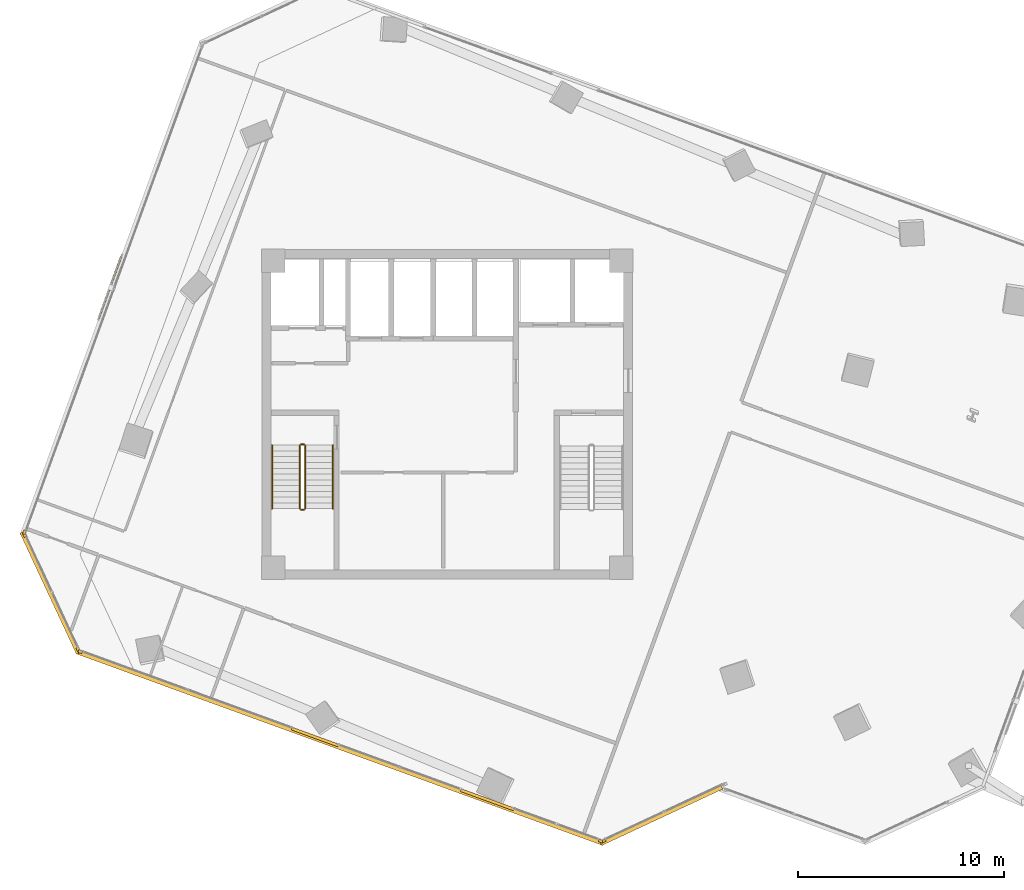
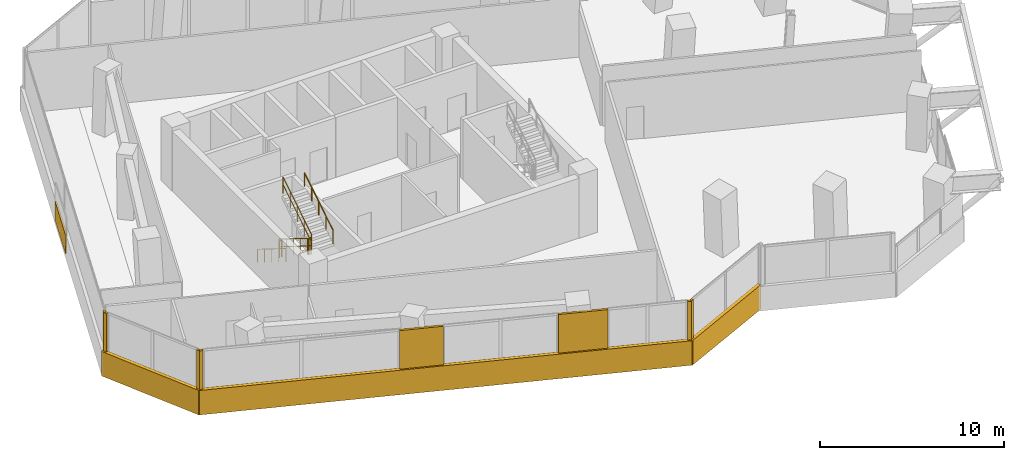
# One storey, part 18 of 21: 11 coverings, 6 railings, 1 shading device.
"""IFC4 building model written with IfcOpenShell, lengths in metres."""

from ifc_helpers import new_model, si_unit, direction, frame, origin, origin_2d, place, context, subcontext, project, spatial, rectangle, circle, extrude, source, transform, mapped, material, layer, layer_set, type_object, element, save


model = new_model("IFC4")

# Units and contexts
model_context = context("Model", 3, precision=1e-05, world=origin(), true_north=direction((0.0, 1.0)))
body_context = subcontext(model_context, "Body", "Model", "MODEL_VIEW")
ifc_project = project(units=[si_unit("LENGTHUNIT", "METRE"), si_unit("AREAUNIT", "SQUARE_METRE"), si_unit("VOLUMEUNIT", "CUBIC_METRE"), si_unit("PLANEANGLEUNIT", "RADIAN"), si_unit("MASSUNIT", "GRAM", prefix="KILO")], contexts=[model_context])

# Site, building, storey
site_placement = place(None, origin())
site = spatial("IfcSite", under=ifc_project, at=site_placement, CompositionType="ELEMENT")
building_placement = place(site_placement, origin())
building = spatial("IfcBuilding", under=site, at=building_placement, Name="Torre Montelarca", CompositionType="ELEMENT")
storey_placement = place(building_placement, frame((0.0, 0.0, 137.199951171875)))
storey = spatial("IfcBuildingStorey", under=building, at=storey_placement, Name="L30", CompositionType="ELEMENT", Elevation=137.199951171875)

# Railings
ifc_material_1 = material(Name="Powder-coated steel ASTM A500 Grade C", Category="steel")
railing_type_1 = type_object("IfcRailingType", Name="RL-GUARD-1100", PredefinedType="BALUSTRADE", material=ifc_material_1)
railing_1_placement = place(storey_placement, frame((10.85009765625, 30.5, 0.175048828125)))
element("IfcRailing", 1, at=railing_1_placement, inside=storey, type_object=railing_type_1, Name="L30 ST1 stair guard 1", PredefinedType="BALUSTRADE", context=body_context, shape_type="SweptSolid", body=[
    extrude(circle(Radius=0.02392578125, at=origin_2d()), frame((0.0, 0.0, 1.076171875), z_axis=(0.0, -0.847998304005, 0.529998940003), x_axis=(1.0, 0.0, 0.0)), (0.0, 0.0, 1.0), 3.632080078125),
    extrude(circle(Radius=0.02099609375, at=origin_2d()), frame((0.0, 0.0, 0.572021484375), z_axis=(0.0, -0.847998304005, 0.529998940003), x_axis=(1.0, 0.0, 0.0)), (0.0, 0.0, 1.0), 3.632080078125),
    extrude(circle(Radius=0.02099609375, at=origin_2d()), origin(), (0.0, 0.0, 1.0), 1.052001953125),
    extrude(circle(Radius=0.02099609375, at=origin_2d()), frame((0.0, -0.77001953125, 0.481201171875)), (0.0, 0.0, 1.0), 1.052001953125),
    extrude(circle(Radius=0.02099609375, at=origin_2d()), frame((0.0, -1.5400390625, 0.96240234375)), (0.0, 0.0, 1.0), 1.052001953125),
    extrude(circle(Radius=0.02099609375, at=origin_2d()), frame((0.0, -2.31005859375, 1.44384765625)), (0.0, 0.0, 1.0), 1.052001953125),
    extrude(circle(Radius=0.02099609375, at=origin_2d()), frame((0.0, -3.080078125, 1.925048828125)), (0.0, 0.0, 1.0), 1.052001953125),
])
railing_2_placement = place(storey_placement, frame((10.89990234375, 27.3701171875, 2.10009765625)))
element("IfcRailing", 2, at=railing_2_placement, inside=storey, type_object=railing_type_1, Name="L30 ST1 stair guard 2", PredefinedType="BALUSTRADE", context=body_context, shape_type="SweptSolid", body=[
    extrude(circle(Radius=0.02392578125, at=origin_2d()), frame((0.0, 0.0, 1.076171875), z_axis=(1.0, 0.0, 0.0), x_axis=(0.0, 1.0, 0.0)), (0.0, 0.0, 1.0), 0.150146484375),
    extrude(circle(Radius=0.02099609375, at=origin_2d()), frame((0.0, 0.0, 0.572021484375), z_axis=(1.0, 0.0, 0.0), x_axis=(0.0, 1.0, 0.0)), (0.0, 0.0, 1.0), 0.150146484375),
    extrude(circle(Radius=0.02099609375, at=origin_2d()), origin(), (0.0, 0.0, 1.0), 1.052001953125),
    extrude(circle(Radius=0.02099609375, at=origin_2d()), frame((0.150146484375, 0.0, 0.0)), (0.0, 0.0, 1.0), 1.052001953125),
])
railing_3_placement = place(storey_placement, frame((11.10009765625, 27.419921875, 2.275146484375)))
element("IfcRailing", 3, at=railing_3_placement, inside=storey, type_object=railing_type_1, Name="L30 ST1 stair guard 3", PredefinedType="BALUSTRADE", context=body_context, shape_type="SweptSolid", body=[
    extrude(circle(Radius=0.02392578125, at=origin_2d()), frame((0.0, 0.0, 1.076171875), z_axis=(0.0, 0.848028513186, 0.529950602248), x_axis=(-1.0, 0.0, 0.0)), (0.0, 0.0, 1.0), 3.632080078125),
    extrude(circle(Radius=0.02099609375, at=origin_2d()), frame((0.0, 0.0, 0.572021484375), z_axis=(0.0, 0.848028513186, 0.529950602248), x_axis=(-1.0, 0.0, 0.0)), (0.0, 0.0, 1.0), 3.632080078125),
    extrude(circle(Radius=0.02099609375, at=origin_2d()), origin(), (0.0, 0.0, 1.0), 1.052001953125),
    extrude(circle(Radius=0.02099609375, at=origin_2d()), frame((0.0, 0.77001953125, 0.481201171875)), (0.0, 0.0, 1.0), 1.052001953125),
    extrude(circle(Radius=0.02099609375, at=origin_2d()), frame((0.0, 1.5400390625, 0.96240234375)), (0.0, 0.0, 1.0), 1.052001953125),
    extrude(circle(Radius=0.02099609375, at=origin_2d()), frame((0.0, 2.31005859375, 1.443603515625)), (0.0, 0.0, 1.0), 1.052001953125),
    extrude(circle(Radius=0.02099609375, at=origin_2d()), frame((0.0, 3.080078125, 1.9248046875)), (0.0, 0.0, 1.0), 1.052001953125),
])
railing_4_placement = place(storey_placement, frame((10.89990234375, 30.550048828125, 0.0)))
element("IfcRailing", 4, at=railing_4_placement, inside=storey, type_object=railing_type_1, Name="L30 ST1 stair guard 4", PredefinedType="BALUSTRADE", context=body_context, shape_type="SweptSolid", body=[
    extrude(circle(Radius=0.02392578125, at=origin_2d()), frame((0.0, 0.0, 1.076171875), z_axis=(1.0, 0.0, 0.0), x_axis=(0.0, 1.0, 0.0)), (0.0, 0.0, 1.0), 0.150146484375),
    extrude(circle(Radius=0.02099609375, at=origin_2d()), frame((0.0, 0.0, 0.572021484375), z_axis=(1.0, 0.0, 0.0), x_axis=(0.0, 1.0, 0.0)), (0.0, 0.0, 1.0), 0.150146484375),
    extrude(circle(Radius=0.02099609375, at=origin_2d()), origin(), (0.0, 0.0, 1.0), 1.052001953125),
    extrude(circle(Radius=0.02099609375, at=origin_2d()), frame((0.150146484375, 0.0, 0.0)), (0.0, 0.0, 1.0), 1.052001953125),
])
ifc_material_2 = material(Name="Brushed stainless steel AISI 316", Category="steel")
railing_type_2 = type_object("IfcRailingType", Name="RL-HANDRAIL-900", PredefinedType="HANDRAIL", material=ifc_material_2)
railing_5_placement = place(storey_placement, frame((9.5, 30.5, 0.175048828125)))
element("IfcRailing", 5, at=railing_5_placement, inside=storey, type_object=railing_type_2, Name="L30 ST1 stair handrail 1", PredefinedType="HANDRAIL", context=body_context, shape_type="SweptSolid", body=[
    extrude(circle(Radius=0.02392578125, at=origin_2d()), frame((0.0, 0.0, 0.8759765625), z_axis=(0.0, -0.847998304005, 0.529998940003), x_axis=(1.0, 0.0, 0.0)), (0.0, 0.0, 1.0), 3.632080078125),
    extrude(circle(Radius=0.02099609375, at=origin_2d()), origin(), (0.0, 0.0, 1.0), 0.851806640625),
    extrude(circle(Radius=0.02099609375, at=origin_2d()), frame((0.0, -0.77001953125, 0.481201171875)), (0.0, 0.0, 1.0), 0.851806640625),
    extrude(circle(Radius=0.02099609375, at=origin_2d()), frame((0.0, -1.5400390625, 0.96240234375)), (0.0, 0.0, 1.0), 0.851806640625),
    extrude(circle(Radius=0.02099609375, at=origin_2d()), frame((0.0, -2.31005859375, 1.44384765625)), (0.0, 0.0, 1.0), 0.851806640625),
    extrude(circle(Radius=0.02099609375, at=origin_2d()), frame((0.0, -3.080078125, 1.925048828125)), (0.0, 0.0, 1.0), 0.851806640625),
])
railing_6_placement = place(storey_placement, frame((12.449951171875, 27.419921875, 2.275146484375)))
element("IfcRailing", 6, at=railing_6_placement, inside=storey, type_object=railing_type_2, Name="L30 ST1 stair handrail 2", PredefinedType="HANDRAIL", context=body_context, shape_type="SweptSolid", body=[
    extrude(circle(Radius=0.02392578125, at=origin_2d()), frame((0.0, 0.0, 0.8759765625), z_axis=(0.0, 0.848028513186, 0.529950602248), x_axis=(-1.0, 0.0, 0.0)), (0.0, 0.0, 1.0), 3.632080078125),
    extrude(circle(Radius=0.02099609375, at=origin_2d()), origin(), (0.0, 0.0, 1.0), 0.851806640625),
    extrude(circle(Radius=0.02099609375, at=origin_2d()), frame((0.0, 0.77001953125, 0.481201171875)), (0.0, 0.0, 1.0), 0.851806640625),
    extrude(circle(Radius=0.02099609375, at=origin_2d()), frame((0.0, 1.5400390625, 0.96240234375)), (0.0, 0.0, 1.0), 0.851806640625),
    extrude(circle(Radius=0.02099609375, at=origin_2d()), frame((0.0, 2.31005859375, 1.443603515625)), (0.0, 0.0, 1.0), 0.851806640625),
    extrude(circle(Radius=0.02099609375, at=origin_2d()), frame((0.0, 3.080078125, 1.9248046875)), (0.0, 0.0, 1.0), 0.851806640625),
])

# Coverings
ifc_material_3 = material(Name="Bush-hammered warm white precast concrete C45/55", Category="concrete")
ifc_layer_1 = layer(ifc_material_3, 0.139892578125, Name="Bush-hammered warm white precast concrete C45/55", Category="concrete")
ifc_layer_set_1 = layer_set([ifc_layer_1], Name="Bush-hammered warm white precast concrete C45/55")
covering_type = type_object("IfcCoveringType", Name="COV-TRAY-CLAD", PredefinedType="CLADDING", material=ifc_layer_set_1)
shared_shape_1 = source(origin(), body_context, "Body", "SweptSolid", [
    extrude(rectangle(XDim=6.48388671875, YDim=0.219970703125, at=origin_2d()), origin(), (0.0, 0.0, 1.0), 1.6201171875),
])
for number, where, z_axis, x_axis, name in (
    (7, (28.38916015625, 12.54150390625, -0.449951171875), (0.0, 0.0, 1.0), (0.906309262247, 0.422615098127, 0.0), "L30 Architectural White Spandrel Tray Band TRYBOT-02"),
    (8, (-1.265380859375, 23.334716796875, -0.449951171875), (0.0, 0.0, 1.0), (0.422615098127, -0.906309262247, 0.0), "L30 Architectural White Spandrel Tray Band TRYBOT-11"),
):
    element("IfcCovering", number, at=place(storey_placement, frame(where, z_axis=z_axis, x_axis=x_axis)), inside=storey, type_object=covering_type, Name=name, PredefinedType="CLADDING", context=body_context, shape_type="MappedRepresentation", body=[
        mapped(shared_shape_1, transform((0.0, 0.0, 0.0), scale=1.0)),
    ])
shared_shape_2 = source(origin(), body_context, "Body", "SweptSolid", [
    extrude(rectangle(XDim=27.219970703125, YDim=0.219970703125, at=origin_2d()), origin(), (0.0, 0.0, 1.0), 1.6201171875),
])
covering_1_placement = place(storey_placement, frame((12.79541015625, 15.83203125, -0.449951171875), z_axis=(0.0, 0.0, 1.0), x_axis=(0.939693217722, -0.342018503252, 0.0)))
element("IfcCovering", 9, at=covering_1_placement, inside=storey, type_object=covering_type, Name="L30 Architectural White Spandrel Tray Band TRYBOT-01", PredefinedType="CLADDING", context=body_context, shape_type="MappedRepresentation", body=[
    mapped(shared_shape_2, transform((0.0, 0.0, 0.0), scale=1.0)),
])

# Shading device
ifc_material_4 = material(Name="Architectural perforated terracotta ceramic", Category="masonry")
ifc_layer_2 = layer(ifc_material_4, 0.080078125, Name="Architectural perforated terracotta ceramic", Category="masonry")
ifc_layer_set_2 = layer_set([ifc_layer_2], Name="Architectural perforated terracotta ceramic")
shading_device_type = type_object("IfcShadingDeviceType", Name="SHD-JALOUSIE-1", PredefinedType="JALOUSIE", material=ifc_layer_set_2)
shared_shape_3 = source(origin(), body_context, "Body", "SweptSolid", [
    extrude(rectangle(XDim=3.199951171875, YDim=0.10009765625, at=origin_2d()), origin(), (0.0, 0.0, 1.0), 1.25),
])
shading_device_placement = place(storey_placement, frame((1.631103515625, 38.16748046875, -0.0048828125), z_axis=(0.0, 0.0, 1.0), x_axis=(-0.342020143326, -0.939692620786, 0.0)))
element("IfcShadingDevice", 10, at=shading_device_placement, inside=storey, type_object=shading_device_type, Name="L30 Facade Solar Shading Device E10", PredefinedType="JALOUSIE", context=body_context, shape_type="MappedRepresentation", body=[
    mapped(shared_shape_3, transform((0.0, 0.0, 0.0), scale=1.0)),
])

# Coverings
shared_shape_4 = source(origin(), body_context, "Body", "SweptSolid", [
    extrude(rectangle(XDim=0.199951171875, YDim=0.139892578125, at=origin_2d()), origin(), (0.0, 0.0, 1.0), 3.719970703125),
])
for number, where, z_axis, x_axis, name in (
    (11, (0.19189453125, 20.483154296875, 0.0), (0.0, 0.0, 1.0), (0.939693814656, -0.342016863178, 0.0), "L30 Architectural Column Pier Cladding E01-1"),
    (12, (25.439697265625, 11.293701171875, 0.0), (0.0, 0.0, 1.0), (0.939693814656, -0.342016863178, 0.0), "L30 Architectural Column Pier Cladding E01-4"),
    (13, (25.5849609375, 11.30029296875, 0.0), (0.0, 0.0, 1.0), (0.906314425397, 0.422604025439, 0.0), "L30 Architectural Column Pier Cladding E02-1"),
    (14, (-2.51318359375, 26.2841796875, 0.0), (0.0, 0.0, 1.0), (-0.342018503252, -0.939693217722, 0.0), "L30 Architectural Column Pier Cladding E10-2"),
    (15, (-2.506591796875, 26.138916015625, 0.0), (0.0, 0.0, 1.0), (0.422611934508, -0.906310737447, 0.0), "L30 Architectural Column Pier Cladding E11-1"),
    (16, (0.084716796875, 20.581298828125, 0.0), (0.0, 0.0, 1.0), (0.422611934508, -0.906310737447, 0.0), "L30 Architectural Column Pier Cladding E11-2"),
):
    element("IfcCovering", number, at=place(storey_placement, frame(where, z_axis=z_axis, x_axis=x_axis)), inside=storey, type_object=covering_type, Name=name, PredefinedType="CLADDING", context=body_context, shape_type="MappedRepresentation", body=[
        mapped(shared_shape_4, transform((0.0, 0.0, 0.0), scale=1.0)),
    ])
shared_shape_5 = source(origin(), body_context, "Body", "SweptSolid", [
    extrude(rectangle(XDim=2.396240234375, YDim=0.139892578125, at=origin_2d()), origin(), (0.0, 0.0, 1.0), 3.719970703125),
])
covering_2_placement = place(storey_placement, frame((11.577880859375, 16.339111328125, 0.0), z_axis=(0.0, 0.0, 1.0), x_axis=(0.939693814656, -0.342016863178, 0.0)))
element("IfcCovering", 17, at=covering_2_placement, inside=storey, type_object=covering_type, Name="L30 Architectural Column Pier Cladding E01-2", PredefinedType="CLADDING", context=body_context, shape_type="MappedRepresentation", body=[
    mapped(shared_shape_5, transform((0.0, 0.0, 0.0), scale=1.0)),
])
shared_shape_6 = source(origin(), body_context, "Body", "SweptSolid", [
    extrude(rectangle(XDim=2.739013671875, YDim=0.139892578125, at=origin_2d()), origin(), (0.0, 0.0, 1.0), 3.719970703125),
])
covering_3_placement = place(storey_placement, frame((19.9423828125, 13.294677734375, 0.0), z_axis=(0.0, 0.0, 1.0), x_axis=(0.939693814656, -0.342016863178, 0.0)))
element("IfcCovering", 18, at=covering_3_placement, inside=storey, type_object=covering_type, Name="L30 Architectural Column Pier Cladding E01-3", PredefinedType="CLADDING", context=body_context, shape_type="MappedRepresentation", body=[
    mapped(shared_shape_6, transform((0.0, 0.0, 0.0), scale=1.0)),
])

save(model, "model.ifc")
